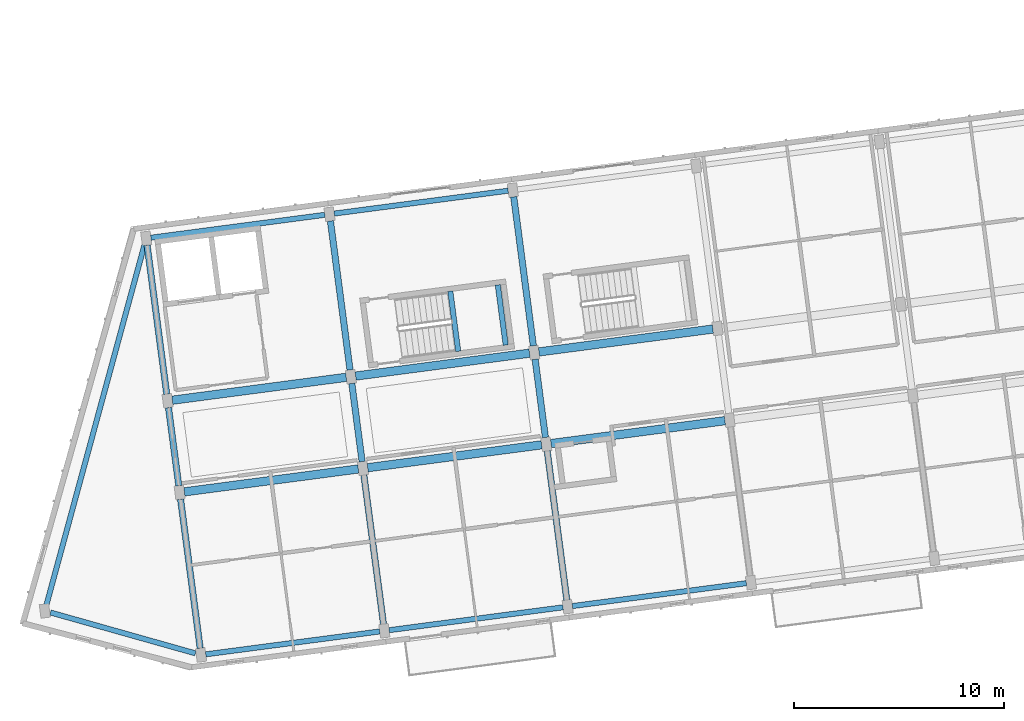
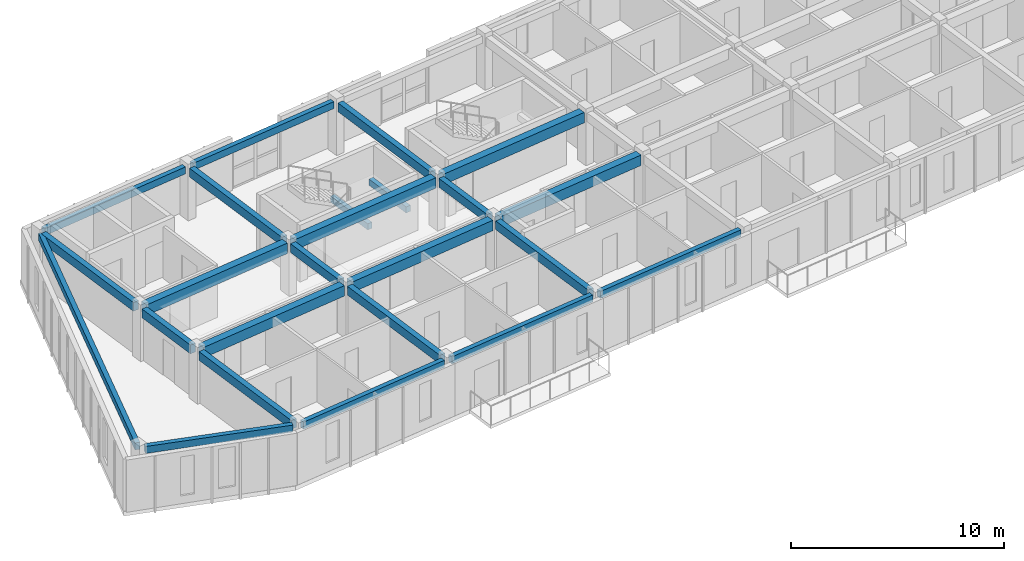
# One storey, part 3 of 31: 24 beams.
"""IFC4 building model written with IfcOpenShell, lengths in metres."""

from ifc_helpers import new_model, si_unit, direction, frame, origin, origin_2d, place, context, subcontext, project, spatial, rectangle, extrude, material, material_profile, profile_set, type_object, element, save


model = new_model("IFC4")

# Units and contexts
model_context = context("Model", 3, precision=1e-05, world=origin(), true_north=direction((0.0, 1.0)))
body_context = subcontext(model_context, "Body", "Model", "MODEL_VIEW")
ifc_project = project(units=[si_unit("LENGTHUNIT", "METRE"), si_unit("AREAUNIT", "SQUARE_METRE"), si_unit("VOLUMEUNIT", "CUBIC_METRE"), si_unit("PLANEANGLEUNIT", "RADIAN"), si_unit("MASSUNIT", "GRAM", prefix="KILO")], contexts=[model_context])

# Site, building, storey
site_placement = place(None, origin())
site = spatial("IfcSite", under=ifc_project, at=site_placement, CompositionType="ELEMENT")
building_placement = place(site_placement, origin())
building = spatial("IfcBuilding", under=site, at=building_placement, Name="Kestramere Prow Commons", CompositionType="ELEMENT")
storey_placement = place(building_placement, frame((0.0, 0.0, 37.64990234375)))
storey = spatial("IfcBuildingStorey", under=building, at=storey_placement, Name="L11", CompositionType="ELEMENT", Elevation=37.64990234375)

# Beams
ifc_material_1 = material(Name="Precast concrete C40/50", Category="concrete")
ifc_material_profile_1 = material_profile(ifc_material_1, rectangle(XDim=0.39990234375, YDim=0.60009765625, at=origin_2d()), Name="PC-BM 400x600")
ifc_profile_set_1 = profile_set([ifc_material_profile_1], Name="Precast concrete C40/50")
beam_type_1 = type_object("IfcBeamType", Name="BM-A1 PC-BM 400x600", PredefinedType="BEAM", material=ifc_profile_set_1)
for number, where, z_axis, x_axis, name in (
    (1, (10.405029296875, 79.7626953125, 2.7001953125), (0.991445635283, 0.13052031366, 0.0), (-0.13052031366, 0.991445635283, 0.0), "Block A L11 Longitudinal Beam 2-1"),
    (2, (19.129638671875, 80.911376953125, 2.7001953125), (0.991445635283, 0.13052031366, 0.0), (-0.13052031366, 0.991445635283, 0.0), "Block A L11 Longitudinal Beam 2-2"),
    (3, (27.8544921875, 82.059814453125, 2.7001953125), (0.991441851318, 0.130549053825, 0.0), (-0.130549053825, 0.991441851318, 0.0), "Block A L11 Longitudinal Beam 2-3"),
    (4, (9.83056640625, 84.125, 2.7001953125), (0.991445635283, 0.13052031366, 0.0), (-0.13052031366, 0.991445635283, 0.0), "Block A L11 Longitudinal Beam 3-1"),
    (5, (18.555419921875, 85.273681640625, 2.7001953125), (0.991445635283, 0.13052031366, 0.0), (-0.13052031366, 0.991445635283, 0.0), "Block A L11 Longitudinal Beam 3-2"),
    (6, (27.280029296875, 86.42236328125, 2.7001953125), (0.991445635283, 0.13052031366, 0.0), (-0.13052031366, 0.991445635283, 0.0), "Block A L11 Longitudinal Beam 3-3"),
):
    element("IfcBeam", number, at=place(storey_placement, frame(where, z_axis=z_axis, x_axis=x_axis)), inside=storey, type_object=beam_type_1, Name=name, PredefinedType="BEAM", context=body_context, shape_type="SweptSolid", body=[
        extrude(rectangle(XDim=0.39990234375, YDim=0.60009765625, at=origin_2d()), origin(), (0.0, 0.0, 1.0), 8.35009765625),
    ])
ifc_material_2 = material(Name="Concrete C40/50", Category="concrete")
ifc_material_profile_2 = material_profile(ifc_material_2, rectangle(XDim=0.25, YDim=0.35009765625, at=origin_2d()), Name="PC-BM 250x350")
ifc_profile_set_2 = profile_set([ifc_material_profile_2], Name="Concrete C40/50")
beam_type_2 = type_object("IfcBeamType", Name="BM-ST-TRIM", PredefinedType="BEAM", material=ifc_profile_set_2)
for number, where, z_axis, x_axis, name in (
    (7, (23.4384765625, 86.451171875, 1.25), (-0.130520071219, 0.9914456672, 0.0), (-0.9914456672, -0.130520071219, 0.0), "ST-A1 L11 Landing Trimmer Beam 1A"),
    (8, (25.698974609375, 86.748779296875, 1.25), (-0.130520071219, 0.9914456672, 0.0), (-0.9914456672, -0.130520071219, 0.0), "ST-A1 L11 Landing Trimmer Beam 1B"),
):
    element("IfcBeam", number, at=place(storey_placement, frame(where, z_axis=z_axis, x_axis=x_axis)), inside=storey, type_object=beam_type_2, Name=name, PredefinedType="BEAM", context=body_context, shape_type="SweptSolid", body=[
        extrude(rectangle(XDim=0.25, YDim=0.35009765625, at=origin_2d()), origin(), (0.0, 0.0, 1.0), 2.889892578125),
    ])
ifc_material_profile_3 = material_profile(ifc_material_1, rectangle(XDim=0.300048828125, YDim=0.5, at=origin_2d()), Name="PC-BM 300x500")
ifc_profile_set_3 = profile_set([ifc_material_profile_3], Name="Precast concrete C40/50")
beam_type_3 = type_object("IfcBeamType", Name="BM-TIE-01 PC-BM 300x500", PredefinedType="BEAM", material=ifc_profile_set_3)
beam_1_placement = place(storey_placement, frame((11.157470703125, 72.322265625, 2.75), z_axis=(-0.130503975686, 0.991447785983, 0.0), x_axis=(-0.991447785983, -0.130503975686, 0.0)))
element("IfcBeam", 9, at=beam_1_placement, inside=storey, type_object=beam_type_3, Name="Block A L11 Transverse Beam 1-1", PredefinedType="BEAM", context=body_context, shape_type="SweptSolid", body=[
    extrude(rectangle(XDim=0.300048828125, YDim=0.5, at=origin_2d()), origin(), (0.0, 0.0, 1.0), 7.14990234375),
])
beam_2_placement = place(storey_placement, frame((10.139404296875, 80.055419921875, 2.75), z_axis=(-0.130530295097, 0.991444321211, 0.0), x_axis=(-0.991444321211, -0.130530295097, 0.0)))
element("IfcBeam", 10, at=beam_2_placement, inside=storey, type_object=beam_type_3, Name="Block A L11 Transverse Beam 1-2", PredefinedType="BEAM", context=body_context, shape_type="SweptSolid", body=[
    extrude(rectangle(XDim=0.300048828125, YDim=0.5, at=origin_2d()), origin(), (0.0, 0.0, 1.0), 3.75),
])
for number, where, z_axis, x_axis, name in (
    (11, (9.565185546875, 84.41796875, 2.75), (-0.130541958643, 0.991442785557, 0.0), (-0.991442785557, -0.130541958643, 0.0), "Block A L11 Transverse Beam 1-3"),
    (12, (19.88232421875, 73.470947265625, 2.75), (-0.130541958643, 0.991442785557, 0.0), (-0.991442785557, -0.130541958643, 0.0), "Block A L11 Transverse Beam 2-1"),
):
    element("IfcBeam", number, at=place(storey_placement, frame(where, z_axis=z_axis, x_axis=x_axis)), inside=storey, type_object=beam_type_3, Name=name, PredefinedType="BEAM", context=body_context, shape_type="SweptSolid", body=[
        extrude(rectangle(XDim=0.300048828125, YDim=0.5, at=origin_2d()), origin(), (0.0, 0.0, 1.0), 7.14990234375),
    ])
beam_3_placement = place(storey_placement, frame((18.8642578125, 81.2041015625, 2.75), z_axis=(-0.130530295097, 0.991444321211, 0.0), x_axis=(-0.991444321211, -0.130530295097, 0.0)))
element("IfcBeam", 13, at=beam_3_placement, inside=storey, type_object=beam_type_3, Name="Block A L11 Transverse Beam 2-2", PredefinedType="BEAM", context=body_context, shape_type="SweptSolid", body=[
    extrude(rectangle(XDim=0.300048828125, YDim=0.5, at=origin_2d()), origin(), (0.0, 0.0, 1.0), 3.75),
])
for number, where, z_axis, x_axis, name in (
    (14, (18.289794921875, 85.56640625, 2.75), (-0.130503975686, 0.991447785983, 0.0), (-0.991447785983, -0.130503975686, 0.0), "Block A L11 Transverse Beam 2-3"),
    (15, (28.60693359375, 74.619384765625, 2.75), (-0.130503975686, 0.991447785983, 0.0), (-0.991447785983, -0.130503975686, 0.0), "Block A L11 Transverse Beam 3-1"),
):
    element("IfcBeam", number, at=place(storey_placement, frame(where, z_axis=z_axis, x_axis=x_axis)), inside=storey, type_object=beam_type_3, Name=name, PredefinedType="BEAM", context=body_context, shape_type="SweptSolid", body=[
        extrude(rectangle(XDim=0.300048828125, YDim=0.5, at=origin_2d()), origin(), (0.0, 0.0, 1.0), 7.14990234375),
    ])
beam_4_placement = place(storey_placement, frame((27.5888671875, 82.352783203125, 2.75), z_axis=(-0.130538720766, 0.991443211879, 0.0), x_axis=(-0.991443211879, -0.130538720766, 0.0)))
element("IfcBeam", 16, at=beam_4_placement, inside=storey, type_object=beam_type_3, Name="Block A L11 Transverse Beam 3-2", PredefinedType="BEAM", context=body_context, shape_type="SweptSolid", body=[
    extrude(rectangle(XDim=0.300048828125, YDim=0.5, at=origin_2d()), origin(), (0.0, 0.0, 1.0), 3.749755859375),
])
beam_5_placement = place(storey_placement, frame((27.0146484375, 86.715087890625, 2.75), z_axis=(-0.130537539388, 0.991443367425, 0.0), x_axis=(-0.991443367425, -0.130537539388, 0.0)))
element("IfcBeam", 17, at=beam_5_placement, inside=storey, type_object=beam_type_3, Name="Block A L11 Transverse Beam 3-3", PredefinedType="BEAM", context=body_context, shape_type="SweptSolid", body=[
    extrude(rectangle(XDim=0.300048828125, YDim=0.5, at=origin_2d()), origin(), (0.0, 0.0, 1.0), 7.150146484375),
])
ifc_material_profile_4 = material_profile(ifc_material_1, rectangle(XDim=0.25, YDim=0.39990234375, at=origin_2d()), Name="PC-SP 250x400")
ifc_profile_set_4 = profile_set([ifc_material_profile_4], Name="Precast concrete C40/50")
beam_type_4 = type_object("IfcBeamType", Name="SP-EXT-01 PC-SP 250x400", PredefinedType="SPANDREL", material=ifc_profile_set_4)
beam_6_placement = place(storey_placement, frame((10.930419921875, 72.075927734375, 2.800048828125), z_axis=(-0.96246176941, 0.271417284681, 0.0), x_axis=(-0.271417284681, -0.96246176941, 0.0)))
element("IfcBeam", 18, at=beam_6_placement, inside=storey, type_object=beam_type_4, Name="Block A L11 Prow Facet Beam S", PredefinedType="SPANDREL", context=body_context, shape_type="SweptSolid", body=[
    extrude(rectangle(XDim=0.25, YDim=0.39990234375, at=origin_2d()), origin(), (0.0, 0.0, 1.0), 7.167236328125),
])
beam_7_placement = place(storey_placement, frame((8.515869140625, 91.558837890625, 2.800048828125), z_axis=(-0.262653591278, -0.964890196338, 0.0), x_axis=(0.964890196338, -0.262653591278, 0.0)))
element("IfcBeam", 19, at=beam_7_placement, inside=storey, type_object=beam_type_4, Name="Block A L11 Prow Facet Beam N", PredefinedType="SPANDREL", context=body_context, shape_type="SweptSolid", body=[
    extrude(rectangle(XDim=0.25, YDim=0.39990234375, at=origin_2d()), origin(), (0.0, 0.0, 1.0), 17.81689453125),
])
for number, where, z_axis, x_axis, name in (
    (20, (11.423095703125, 72.029296875, 2.800048828125), (0.991445635283, 0.13052031366, 0.0), (-0.13052031366, 0.991445635283, 0.0), "Block A L11 Longitudinal Beam 1-1"),
    (21, (20.147705078125, 73.177978515625, 2.800048828125), (0.991445635283, 0.13052031366, 0.0), (-0.13052031366, 0.991445635283, 0.0), "Block A L11 Longitudinal Beam 1-2"),
    (22, (28.87255859375, 74.32666015625, 2.800048828125), (0.991445635283, 0.13052031366, 0.0), (-0.13052031366, 0.991445635283, 0.0), "Block A L11 Longitudinal Beam 1-3"),
    (23, (8.8125, 91.858154296875, 2.800048828125), (0.991441851318, 0.130549053825, 0.0), (-0.130549053825, 0.991441851318, 0.0), "Block A L11 Longitudinal Beam 4-1"),
    (24, (17.537353515625, 93.0068359375, 2.800048828125), (0.991445635283, 0.13052031366, 0.0), (-0.13052031366, 0.991445635283, 0.0), "Block A L11 Longitudinal Beam 4-2"),
):
    element("IfcBeam", number, at=place(storey_placement, frame(where, z_axis=z_axis, x_axis=x_axis)), inside=storey, type_object=beam_type_4, Name=name, PredefinedType="SPANDREL", context=body_context, shape_type="SweptSolid", body=[
        extrude(rectangle(XDim=0.25, YDim=0.39990234375, at=origin_2d()), origin(), (0.0, 0.0, 1.0), 8.35009765625),
    ])

save(model, "model.ifc")
